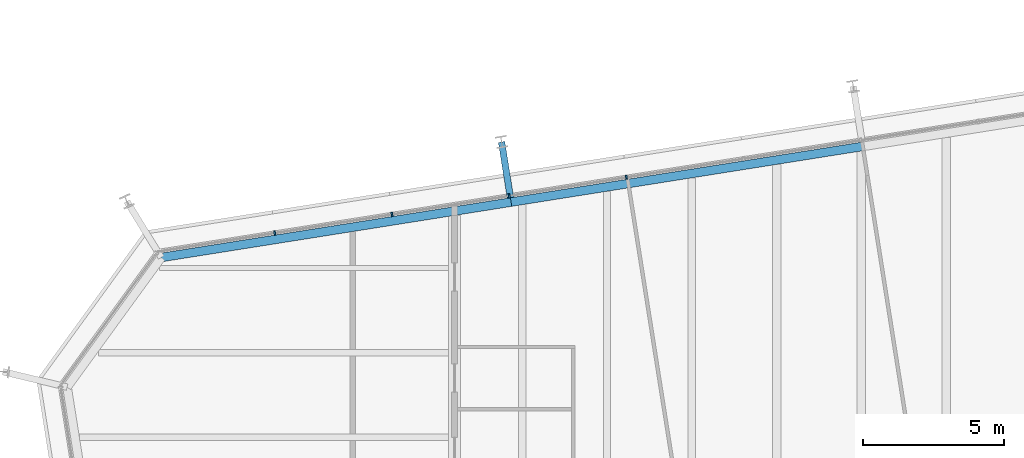
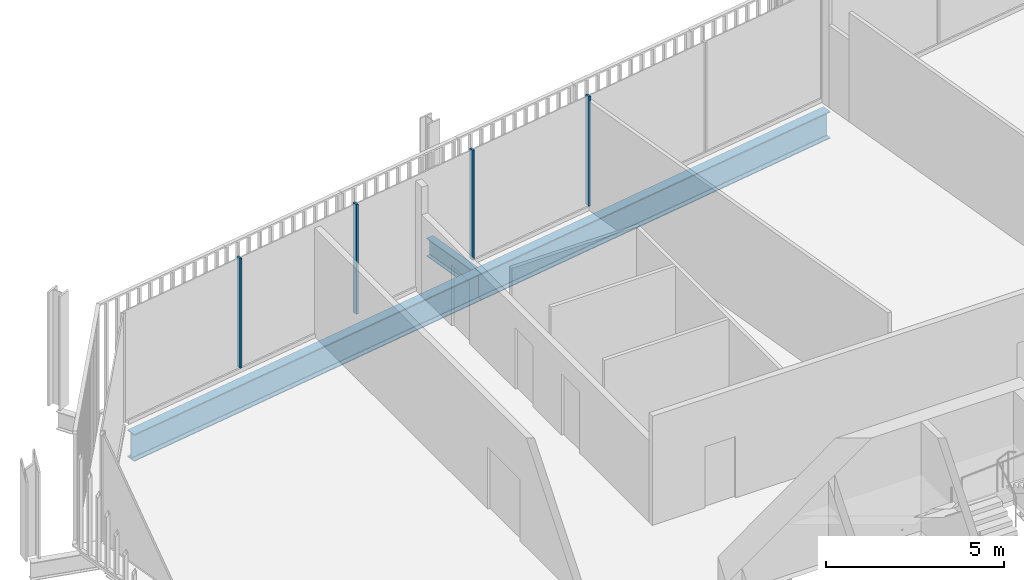
# One storey, part 12 of 20: 4 members, 3 beams, 1 element without a shape of its own.
"""IFC4 building model written with IfcOpenShell, lengths in metres."""

import ifcopenshell
import ifcopenshell.guid

model = None  # the IFC model being written
_history = None  # IfcOwnerHistory: only IFC2X3 demands one
_inside = {}  # id of a spatial element -> (the spatial element, [elements in it])
_under = {}  # id of a project, library or spatial element -> (it, [spatial elements below it])
_declared = {}  # id of a project -> (the project, [libraries it declares])
_typed = {}  # id of a type object -> (the type object, [elements of that type])
_made_of = {}  # id of a material, layer set ... -> (it, [elements and type objects made of it])


def new_model(schema):
    """Start an empty IFC model of exactly this schema.

    Asked for "IFC4X3", IfcOpenShell would pick the latest addendum, in which some entities
    have other attributes; the version numbers below select the first issue.
    IFC2X3 requires an IfcOwnerHistory on every rooted entity: one is made here for all.
    """
    global model, _history
    if schema == "IFC4X3":
        model = ifcopenshell.file(schema_version=(4, 3, 0, 0))
    else:
        model = ifcopenshell.file(schema=schema)
    _inside.clear()
    _under.clear()
    _declared.clear()
    _typed.clear()
    _made_of.clear()
    _history = None
    if model.schema == "IFC2X3":
        org = make("IfcOrganization", Name="unknown")
        user = make(
            "IfcPersonAndOrganization",
            ThePerson=make("IfcPerson", FamilyName="unknown"),
            TheOrganization=org,
        )
        app = make(
            "IfcApplication",
            ApplicationDeveloper=org,
            Version="unknown",
            ApplicationFullName="unknown",
            ApplicationIdentifier="unknown",
        )
        _history = make(
            "IfcOwnerHistory",
            OwningUser=user,
            OwningApplication=app,
            ChangeAction="ADDED",
            CreationDate=0,
        )
    return model


def make(cls, **values):
    """One entity of the class cls with the attributes given. An attribute that is None is left unset."""
    return model.create_entity(
        cls, **{name: value for name, value in values.items() if value is not None}
    )


def rooted(cls, **values):
    """An entity with a GlobalId (a new one), such as an element, a storey or a relation."""
    return make(cls, GlobalId=ifcopenshell.guid.new(), OwnerHistory=_history, **values)


def si_unit(unit_type, name, prefix=None):
    """IfcSIUnit, for example si_unit("LENGTHUNIT", "METRE", prefix="MILLI")."""
    return make("IfcSIUnit", UnitType=unit_type, Prefix=prefix, Name=name)


def assignment(units):
    """IfcUnitAssignment: the units of a project."""
    return None if units is None else make("IfcUnitAssignment", Units=units)


def point(xyz):
    """IfcCartesianPoint."""
    return None if xyz is None else make("IfcCartesianPoint", Coordinates=xyz)


def direction(xyz):
    """IfcDirection."""
    return None if xyz is None else make("IfcDirection", DirectionRatios=xyz)


def frame(location, z_axis=None, x_axis=None):
    """IfcAxis2Placement3D, a coordinate frame: its origin and axes. An axis left out is left unset."""
    return make(
        "IfcAxis2Placement3D",
        Location=point(location),
        Axis=direction(z_axis),
        RefDirection=direction(x_axis),
    )


def frame_2d(location, x_axis=None):
    """IfcAxis2Placement2D, a coordinate frame in the plane: its origin and x axis."""
    return make(
        "IfcAxis2Placement2D", Location=point(location), RefDirection=direction(x_axis)
    )


def origin():
    """The frame at (0, 0, 0) with its axes left unset."""
    return frame((0.0, 0.0, 0.0))


def origin_2d():
    """The frame at (0, 0) in the plane with its x axis left unset."""
    return frame_2d((0.0, 0.0))


def place(relative_to, where):
    """IfcLocalPlacement: puts the frame where relative to a parent placement (None: the world)."""
    return make(
        "IfcLocalPlacement", PlacementRelTo=relative_to, RelativePlacement=where
    )


def context(
    kind, dimensions, precision=None, world=None, true_north=None, identifier=None
):
    """IfcGeometricRepresentationContext, for example the 3D "Model" context."""
    return make(
        "IfcGeometricRepresentationContext",
        ContextIdentifier=identifier,
        ContextType=kind,
        CoordinateSpaceDimension=dimensions,
        Precision=precision,
        WorldCoordinateSystem=world,
        TrueNorth=true_north,
    )


def subcontext(parent, identifier, kind, view, scale=None):
    """IfcGeometricRepresentationSubContext, for example "Body" below "Model"."""
    return make(
        "IfcGeometricRepresentationSubContext",
        ContextIdentifier=identifier,
        ContextType=kind,
        ParentContext=parent,
        TargetScale=scale,
        TargetView=view,
    )


def project(units=None, contexts=None):
    """IfcProject with its units and contexts."""
    return rooted(
        "IfcProject",
        Name="project",
        RepresentationContexts=contexts,
        UnitsInContext=assignment(units),
    )


def spatial(cls, under=None, at=None, **own):
    """A site, building, storey or space (cls), placed at a placement, below another one or the project."""
    s = rooted(cls, ObjectPlacement=at, **own)
    if under is not None:
        _under.setdefault(under.id(), (under, []))[1].append(s)
    return s


def profile(cls, at=None, kind="AREA", **sizes):
    """A parametric profile (cls). Its sizes go by their IFC names, for example OverallWidth=200.0."""
    return make(cls, ProfileType=kind, Position=at, **sizes)


def rectangle(**sizes):
    """IfcRectangleProfileDef."""
    return profile("IfcRectangleProfileDef", **sizes)


def i_section(**sizes):
    """IfcIShapeProfileDef."""
    return profile("IfcIShapeProfileDef", **sizes)


def extrude(swept, where, along, depth):
    """IfcExtrudedAreaSolid: the profile swept, set in the frame where, extruded along a direction by depth."""
    return make(
        "IfcExtrudedAreaSolid",
        SweptArea=swept,
        Position=where,
        ExtrudedDirection=direction(along),
        Depth=depth,
    )


def shape(context_of_items, identifier, shape_type, items):
    """IfcShapeRepresentation: the items that make up one representation, for example the "Body"."""
    return make(
        "IfcShapeRepresentation",
        ContextOfItems=context_of_items,
        RepresentationIdentifier=identifier,
        RepresentationType=shape_type,
        Items=items,
    )


def material(Name=None, Category=None):
    """IfcMaterial."""
    return make("IfcMaterial", Name=Name, Category=Category)


def layer(
    of_material, thickness, ventilated=None, Name=None, Category=None, Priority=None
):
    """IfcMaterialLayer: one layer of a wall or slab, of a material (None: an air gap)."""
    return make(
        "IfcMaterialLayer",
        Material=of_material,
        LayerThickness=thickness,
        IsVentilated=ventilated,
        Name=Name,
        Category=Category,
        Priority=Priority,
    )


def layer_set(layers, Name=None):
    """IfcMaterialLayerSet."""
    return make("IfcMaterialLayerSet", MaterialLayers=layers, LayerSetName=Name)


def material_profile(
    of_material, cross_section, Name=None, Category=None, Priority=None
):
    """IfcMaterialProfile: a cross section and its material."""
    return make(
        "IfcMaterialProfile",
        Name=Name,
        Material=of_material,
        Profile=cross_section,
        Priority=Priority,
        Category=Category,
    )


def profile_set(profiles, Name=None, composite=None):
    """IfcMaterialProfileSet."""
    return make(
        "IfcMaterialProfileSet",
        Name=Name,
        MaterialProfiles=profiles,
        CompositeProfile=composite,
    )


def made_of(thing, what):
    """Note that an element or type object is made of a material, layer set ...; save() writes the relation."""
    if what is not None:
        _made_of.setdefault(what.id(), (what, []))[1].append(thing)
    return thing


def type_object(cls, material=None, **own):
    """A type object (cls), such as IfcWallType, which elements share."""
    return made_of(rooted(cls, **own), material)


def element(
    cls,
    number,
    at=None,
    inside=None,
    cuts=None,
    type_object=None,
    material=None,
    context=None,
    identifier="Body",
    shape_type=None,
    held_by="IfcProductDefinitionShape",
    body=None,
    shapes=None,
    **own,
):
    """One element of the class cls, such as IfcWall. Its Tag is "e" and its number.

    at: its placement. inside: the storey or other place that contains it. cuts: it is an
    opening in that element (IfcRelVoidsElement). A single representation is given by context,
    identifier, shape_type and body (its items); several are given by shapes. held_by: the class
    of the entity that holds the representations. save() writes the other relations.
    """
    e = rooted(cls, Tag="e%d" % number, ObjectPlacement=at, **own)
    if body is not None:
        shapes = [shape(context, identifier, shape_type, body)]
    if shapes is not None:
        e.Representation = make(held_by, Representations=shapes)
    if inside is not None:
        _inside.setdefault(inside.id(), (inside, []))[1].append(e)
    if cuts is not None:
        rooted(
            "IfcRelVoidsElement", RelatingBuildingElement=cuts, RelatedOpeningElement=e
        )
    if type_object is not None:
        _typed.setdefault(type_object.id(), (type_object, []))[1].append(e)
    return made_of(e, material)


def aggregate(whole, parts):
    """IfcRelAggregates: a whole, such as a stair, and the parts it consists of."""
    return rooted("IfcRelAggregates", RelatingObject=whole, RelatedObjects=parts)


def save(model, path):
    """Write the relations noted so far, then the file.

    IfcRelAggregates (storeys below a building ...), IfcRelContainedInSpatialStructure (elements
    in a storey), IfcRelDefinesByType, IfcRelAssociatesMaterial and IfcRelDeclares: one each for
    every whole, place, type object, material and project.
    """
    for whole, parts in _under.values():
        aggregate(whole, parts)
    for where, things in _inside.values():
        rooted(
            "IfcRelContainedInSpatialStructure",
            RelatedElements=things,
            RelatingStructure=where,
        )
    for kind, things in _typed.values():
        rooted("IfcRelDefinesByType", RelatedObjects=things, RelatingType=kind)
    for what, things in _made_of.values():
        rooted("IfcRelAssociatesMaterial", RelatedObjects=things, RelatingMaterial=what)
    for by, libraries in _declared.values():
        rooted("IfcRelDeclares", RelatingContext=by, RelatedDefinitions=libraries)
    model.write(path)


model = new_model("IFC4")

# Units and contexts
model_context = context("Model", 3, precision=1e-05, world=origin(), true_north=direction((0.0, 1.0)))
body_context = subcontext(model_context, "Body", "Model", "MODEL_VIEW")
ifc_project = project(units=[si_unit("LENGTHUNIT", "METRE"), si_unit("AREAUNIT", "SQUARE_METRE"), si_unit("VOLUMEUNIT", "CUBIC_METRE"), si_unit("PLANEANGLEUNIT", "RADIAN"), si_unit("MASSUNIT", "GRAM", prefix="KILO")], contexts=[model_context])

# Site, building, storey
site_placement = place(None, origin())
site = spatial("IfcSite", under=ifc_project, at=site_placement, CompositionType="ELEMENT")
building_placement = place(site_placement, origin())
building = spatial("IfcBuilding", under=site, at=building_placement, Name="Millrace Tower", CompositionType="ELEMENT")
storey_placement = place(building_placement, frame((0.0, 0.0, 224.199951171875)))
storey = spatial("IfcBuildingStorey", under=building, at=storey_placement, Name="L51", CompositionType="ELEMENT", Elevation=224.199951171875)

# Curtain wall, members
ifc_material_1 = material(Name="Aluminium and glass", Category="aluminium")
ifc_layer = layer(ifc_material_1, 0.14990234375)
ifc_layer_set = layer_set([ifc_layer], Name="Aluminium and glass")
curtain_wall_type = type_object("IfcCurtainWallType", Name="CW-1 office vision curtain wall", PredefinedType="NOTDEFINED", material=ifc_layer_set)
curtain_wall_placement = place(storey_placement, origin())
curtain_wall = element("IfcCurtainWall", 1, at=curtain_wall_placement, inside=storey, type_object=curtain_wall_type, Name="Curtain wall D-F06 L51", PredefinedType="NOTDEFINED")
ifc_material_2 = material(Name="Aluminium", Category="aluminium")
ifc_material_profile_1 = material_profile(ifc_material_2, rectangle(XDim=0.06494140625, YDim=0.14990234375, at=origin_2d()))
ifc_profile_set_1 = profile_set([ifc_material_profile_1], Name="Aluminium")
member_type = type_object("IfcMemberType", Name="CW-1 office vision curtain wall mullion", PredefinedType="MULLION", material=ifc_profile_set_1)
member_1_placement = place(storey_placement, frame((-8.31591796875, 27.207275390625, 0.14013671875), z_axis=(0.0, 0.0, 1.0), x_axis=(-0.987688339511, -0.156434471884, 0.0)))
member_1 = element("IfcMember", 2, at=member_1_placement, type_object=member_type, Name="CW1 mullion D-F06.6", PredefinedType="MULLION", context=body_context, shape_type="SweptSolid", body=[
    extrude(rectangle(XDim=0.06494140625, YDim=0.14990234375, at=origin_2d()), origin(), (0.0, 0.0, 1.0), 3.760009765625),
])
member_2_placement = place(storey_placement, frame((-12.46435546875, 26.55029296875, 0.14013671875), z_axis=(0.0, 0.0, 1.0), x_axis=(-0.987688339511, -0.156434471884, 0.0)))
member_2 = element("IfcMember", 3, at=member_2_placement, type_object=member_type, Name="CW1 mullion D-F06.7", PredefinedType="MULLION", context=body_context, shape_type="SweptSolid", body=[
    extrude(rectangle(XDim=0.06494140625, YDim=0.14990234375, at=origin_2d()), origin(), (0.0, 0.0, 1.0), 3.760009765625),
])
member_3_placement = place(storey_placement, frame((-16.612548828125, 25.893310546875, 0.14013671875), z_axis=(0.0, 0.0, 1.0), x_axis=(-0.987688339511, -0.156434471884, 0.0)))
member_3 = element("IfcMember", 4, at=member_3_placement, type_object=member_type, Name="CW1 mullion D-F06.8", PredefinedType="MULLION", context=body_context, shape_type="SweptSolid", body=[
    extrude(rectangle(XDim=0.06494140625, YDim=0.14990234375, at=origin_2d()), origin(), (0.0, 0.0, 1.0), 3.760009765625),
])
member_4_placement = place(storey_placement, frame((-20.7607421875, 25.236328125, 0.14013671875), z_axis=(0.0, 0.0, 1.0), x_axis=(-0.987688339511, -0.156434471884, 0.0)))
member_4 = element("IfcMember", 5, at=member_4_placement, type_object=member_type, Name="CW1 mullion D-F06.9", PredefinedType="MULLION", context=body_context, shape_type="SweptSolid", body=[
    extrude(rectangle(XDim=0.06494140625, YDim=0.14990234375, at=origin_2d()), origin(), (0.0, 0.0, 1.0), 3.760009765625),
])
aggregate(curtain_wall, [member_1, member_2, member_3, member_4])

# Beams
ifc_material_3 = material(Name="Steel ASTM A992 Grade 50", Category="steel")
ifc_material_profile_2 = material_profile(ifc_material_3, i_section(OverallWidth=0.23046875, OverallDepth=0.6171875, WebThickness=0.01318359375, FlangeThickness=0.022216796875, FilletRadius=0.012939453125, at=origin_2d()))
ifc_profile_set_2 = profile_set([ifc_material_profile_2], Name="Steel ASTM A992 Grade 50")
beam_type_1 = type_object("IfcBeamType", Name="Link beam W24x94", PredefinedType="BEAM", material=ifc_profile_set_2)
beam_1_placement = place(storey_placement, frame((-12.42041015625, 26.481201171875, -0.468505859375), z_axis=(-0.156476509441, 0.987681680499, 0.0), x_axis=(-0.987681680499, -0.156476509441, 0.0)))
element("IfcBeam", 6, at=beam_1_placement, inside=storey, type_object=beam_type_1, Name="LNK-D-L51-S1-06", PredefinedType="BEAM", context=body_context, shape_type="SweptSolid", body=[
    extrude(i_section(OverallWidth=0.23046875, OverallDepth=0.6171875, WebThickness=0.01318359375, FlangeThickness=0.022216796875, FilletRadius=0.012939453125, at=origin_2d()), origin(), (0.0, 0.0, 1.0), 2.000244140625),
])
ifc_material_4 = material(Name="Steel ASTM A992 Grade 50", Category="steel")
ifc_material_profile_3 = material_profile(ifc_material_4, i_section(OverallWidth=0.307373046875, OverallDepth=0.927001953125, WebThickness=0.01953125, FlangeThickness=0.031982421875, FilletRadius=0.01904296875, at=origin_2d()))
ifc_profile_set_3 = profile_set([ifc_material_profile_3], Name="Steel ASTM A992 Grade 50")
beam_type_2 = type_object("IfcBeamType", Name="Ring beam medium span W36x194", PredefinedType="SPANDREL", material=ifc_profile_set_3)
beam_2_placement = place(storey_placement, frame((-24.7783203125, 24.368408203125, -0.62353515625), z_axis=(0.987687213011, 0.156441584157, 0.0), x_axis=(-0.156441584157, 0.987687213011, 0.0)))
element("IfcBeam", 7, at=beam_2_placement, inside=storey, type_object=beam_type_2, Name="RNG-D-L51-S1-05", PredefinedType="SPANDREL", context=body_context, shape_type="SweptSolid", body=[
    extrude(i_section(OverallWidth=0.307373046875, OverallDepth=0.927001953125, WebThickness=0.01953125, FlangeThickness=0.031982421875, FilletRadius=0.01904296875, at=origin_2d()), origin(), (0.0, 0.0, 1.0), 12.5361328125),
])
beam_3_placement = place(storey_placement, frame((-12.396484375, 26.32958984375, -0.62353515625), z_axis=(0.987690277015, 0.156422238477, 0.0), x_axis=(-0.156422238477, 0.987690277015, 0.0)))
element("IfcBeam", 8, at=beam_3_placement, inside=storey, type_object=beam_type_2, Name="RNG-D-L51-S1-06", PredefinedType="SPANDREL", context=body_context, shape_type="SweptSolid", body=[
    extrude(i_section(OverallWidth=0.307373046875, OverallDepth=0.927001953125, WebThickness=0.01953125, FlangeThickness=0.031982421875, FilletRadius=0.01904296875, at=origin_2d()), origin(), (0.0, 0.0, 1.0), 12.60009765625),
])

save(model, "model.ifc")
